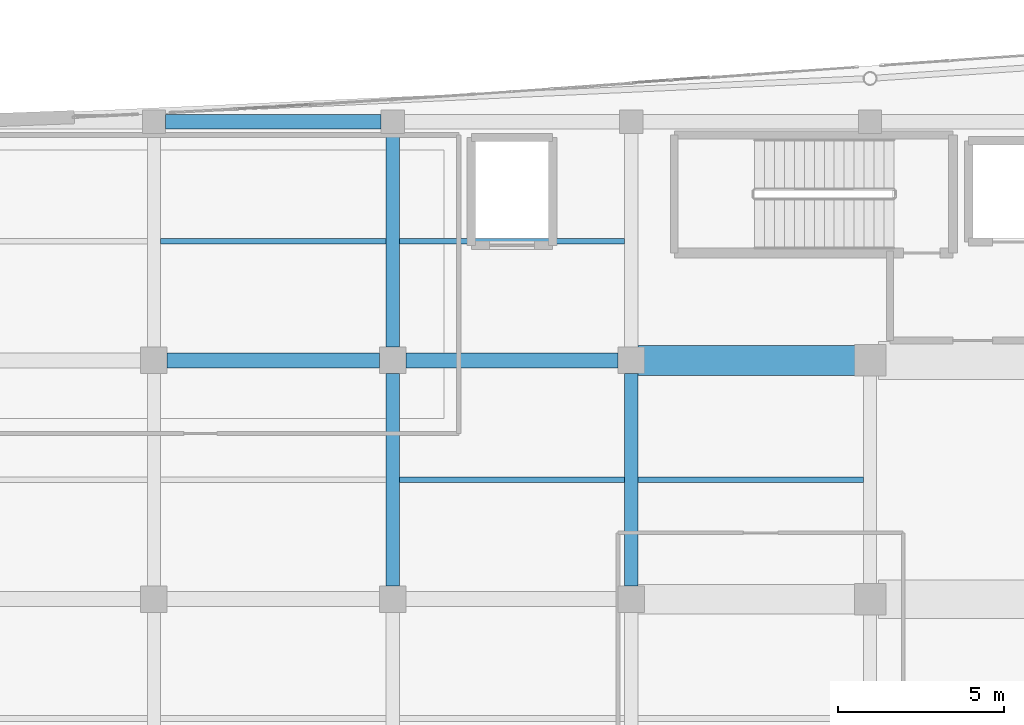
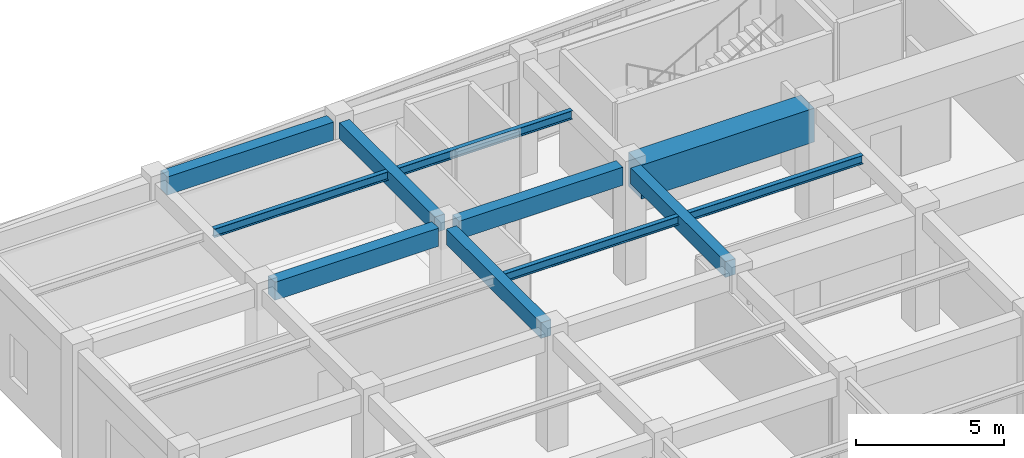
# One storey, part 27 of 117: 11 beams.
"""IFC4 building model written with IfcOpenShell, lengths in metres."""

from ifc_helpers import new_model, si_unit, direction, frame, origin, origin_2d, place, context, subcontext, project, spatial, rectangle, i_section, extrude, material, material_profile, profile_set, type_object, element, save


model = new_model("IFC4")

# Units and contexts
model_context = context("Model", 3, precision=1e-05, world=origin(), true_north=direction((0.0, 1.0)))
body_context = subcontext(model_context, "Body", "Model", "MODEL_VIEW")
ifc_project = project(units=[si_unit("LENGTHUNIT", "METRE"), si_unit("AREAUNIT", "SQUARE_METRE"), si_unit("VOLUMEUNIT", "CUBIC_METRE"), si_unit("PLANEANGLEUNIT", "RADIAN"), si_unit("MASSUNIT", "GRAM", prefix="KILO")], contexts=[model_context])

# Site, building, storey
site_placement = place(None, origin())
site = spatial("IfcSite", under=ifc_project, at=site_placement, CompositionType="ELEMENT")
building_placement = place(site_placement, origin())
building = spatial("IfcBuilding", under=site, at=building_placement, Name="Carrowvane Square Congress Hotel", CompositionType="ELEMENT")
storey_placement = place(building_placement, frame((0.0, 0.0, 5.39990234375)))
storey = spatial("IfcBuildingStorey", under=building, at=storey_placement, Name="L01", CompositionType="ELEMENT", Elevation=5.39990234375)

# Beams
ifc_material_1 = material(Name="Concrete C35/45", Category="concrete")
ifc_material_profile_1 = material_profile(ifc_material_1, rectangle(XDim=0.39990234375, YDim=0.64990234375, at=origin_2d()), Name="RC 400x650")
ifc_profile_set_1 = profile_set([ifc_material_profile_1], Name="Concrete C35/45")
beam_type_1 = type_object("IfcBeamType", Name="BM-RC-400x650", PredefinedType="BEAM", material=ifc_profile_set_1)
beam_1_placement = place(storey_placement, frame((47.60009765625, 99.39990234375, 4.455078125), z_axis=(0.0, 1.0, 0.0), x_axis=(-1.0, 0.0, 0.0)))
element("IfcBeam", 1, at=beam_1_placement, inside=storey, type_object=beam_type_1, Name="L02 girder 6/P-Q", PredefinedType="BEAM", context=body_context, shape_type="SweptSolid", body=[
    extrude(rectangle(XDim=0.39990234375, YDim=0.64990234375, at=origin_2d()), origin(), (0.0, 0.0, 1.0), 6.400146484375),
])
beam_2_placement = place(storey_placement, frame((47.60009765625, 106.60009765625, 4.455078125), z_axis=(0.0, 1.0, 0.0), x_axis=(-1.0, 0.0, 0.0)))
element("IfcBeam", 2, at=beam_2_placement, inside=storey, type_object=beam_type_1, Name="L02 girder 6/Q-R", PredefinedType="BEAM", context=body_context, shape_type="SweptSolid", body=[
    extrude(rectangle(XDim=0.39990234375, YDim=0.64990234375, at=origin_2d()), origin(), (0.0, 0.0, 1.0), 6.449951171875),
])
beam_3_placement = place(storey_placement, frame((54.800048828125, 99.39990234375, 4.455078125), z_axis=(0.0, 1.0, 0.0), x_axis=(-1.0, 0.0, 0.0)))
element("IfcBeam", 3, at=beam_3_placement, inside=storey, type_object=beam_type_1, Name="L02 girder 7/P-Q", PredefinedType="BEAM", context=body_context, shape_type="SweptSolid", body=[
    extrude(rectangle(XDim=0.39990234375, YDim=0.64990234375, at=origin_2d()), origin(), (0.0, 0.0, 1.0), 6.400146484375),
])
ifc_material_2 = material(Name="Concrete C35/45", Category="concrete")
ifc_material_profile_2 = material_profile(ifc_material_2, rectangle(XDim=0.449951171875, YDim=0.75, at=origin_2d()), Name="RC 450x750")
ifc_profile_set_2 = profile_set([ifc_material_profile_2], Name="Concrete C35/45")
beam_type_2 = type_object("IfcBeamType", Name="BM-RC-450x750", PredefinedType="USERDEFINED", material=ifc_profile_set_2)
for number, where, z_axis, x_axis, name in (
    (4, (40.800048828125, 106.199951171875, 4.405029296875), (1.0, 0.0, 0.0), (0.0, 1.0, 0.0), "L02 girder Q/5-6"),
    (5, (48.0, 106.199951171875, 4.405029296875), (1.0, 0.0, 0.0), (0.0, 1.0, 0.0), "L02 girder Q/6-7"),
):
    element("IfcBeam", number, at=place(storey_placement, frame(where, z_axis=z_axis, x_axis=x_axis)), inside=storey, type_object=beam_type_2, Name=name, ObjectType="GIRDER", PredefinedType="USERDEFINED", context=body_context, shape_type="SweptSolid", body=[
        extrude(rectangle(XDim=0.449951171875, YDim=0.75, at=origin_2d()), origin(), (0.0, 0.0, 1.0), 6.39990234375),
    ])
beam_4_placement = place(storey_placement, frame((40.75, 113.39990234375, 4.405029296875), z_axis=(1.0, 0.0, 0.0), x_axis=(0.0, 1.0, 0.0)))
element("IfcBeam", 6, at=beam_4_placement, inside=storey, type_object=beam_type_2, Name="L02 girder R/5-6", ObjectType="GIRDER", PredefinedType="USERDEFINED", context=body_context, shape_type="SweptSolid", body=[
    extrude(rectangle(XDim=0.449951171875, YDim=0.75, at=origin_2d()), origin(), (0.0, 0.0, 1.0), 6.5),
])
ifc_material_3 = material(Name="Steel S355", Category="steel")
ifc_material_profile_3 = material_profile(ifc_material_3, i_section(OverallWidth=0.172119140625, OverallDepth=0.35791015625, WebThickness=0.008056640625, FlangeThickness=0.012939453125, FilletRadius=0.01025390625, at=origin_2d()), Name="UKB 356x171x57")
ifc_profile_set_3 = profile_set([ifc_material_profile_3], Name="Steel S355")
beam_type_3 = type_object("IfcBeamType", Name="BM-ST-UKB356", PredefinedType="JOIST", material=ifc_profile_set_3)
beam_5_placement = place(storey_placement, frame((40.60009765625, 109.800048828125, 4.60107421875), z_axis=(1.0, 0.0, 0.0), x_axis=(0.0, 1.0, 0.0)))
element("IfcBeam", 7, at=beam_5_placement, inside=storey, type_object=beam_type_3, Name="L02 secondary joist 5-6", PredefinedType="JOIST", context=body_context, shape_type="SweptSolid", body=[
    extrude(i_section(OverallWidth=0.172119140625, OverallDepth=0.35791015625, WebThickness=0.008056640625, FlangeThickness=0.012939453125, FilletRadius=0.01025390625, at=origin_2d()), origin(), (0.0, 0.0, 1.0), 6.7998046875),
])
for number, where, z_axis, x_axis, name in (
    (8, (47.800048828125, 102.60009765625, 4.60107421875), (1.0, 0.0, 0.0), (0.0, 1.0, 0.0), "L02 secondary joist 6-7"),
    (9, (47.800048828125, 109.800048828125, 4.60107421875), (1.0, 0.0, 0.0), (0.0, 1.0, 0.0), "L02 secondary joist 6-7"),
    (10, (55.0, 102.60009765625, 4.60107421875), (1.0, 0.0, 0.0), (0.0, 1.0, 0.0), "L02 secondary joist 7-8"),
):
    element("IfcBeam", number, at=place(storey_placement, frame(where, z_axis=z_axis, x_axis=x_axis)), inside=storey, type_object=beam_type_3, Name=name, PredefinedType="JOIST", context=body_context, shape_type="SweptSolid", body=[
        extrude(i_section(OverallWidth=0.172119140625, OverallDepth=0.35791015625, WebThickness=0.008056640625, FlangeThickness=0.012939453125, FilletRadius=0.01025390625, at=origin_2d()), origin(), (0.0, 0.0, 1.0), 6.800048828125),
    ])
ifc_material_4 = material(Name="Concrete C40/50", Category="concrete")
ifc_material_profile_4 = material_profile(ifc_material_4, rectangle(XDim=0.89990234375, YDim=1.39990234375, at=origin_2d()), Name="RC 900x1400")
ifc_profile_set_4 = profile_set([ifc_material_profile_4], Name="Concrete C40/50")
beam_type_4 = type_object("IfcBeamType", Name="TG-RC-900x1400", PredefinedType="USERDEFINED", material=ifc_profile_set_4)
beam_6_placement = place(storey_placement, frame((55.0, 106.199951171875, 4.080078125), z_axis=(1.0, 0.0, 0.0), x_axis=(0.0, 1.0, 0.0)))
element("IfcBeam", 11, at=beam_6_placement, inside=storey, type_object=beam_type_4, Name="L02 transition girder 7-8/Q", ObjectType="GIRDER", PredefinedType="USERDEFINED", context=body_context, shape_type="SweptSolid", body=[
    extrude(rectangle(XDim=0.89990234375, YDim=1.39990234375, at=origin_2d()), origin(), (0.0, 0.0, 1.0), 6.75),
])

save(model, "model.ifc")
